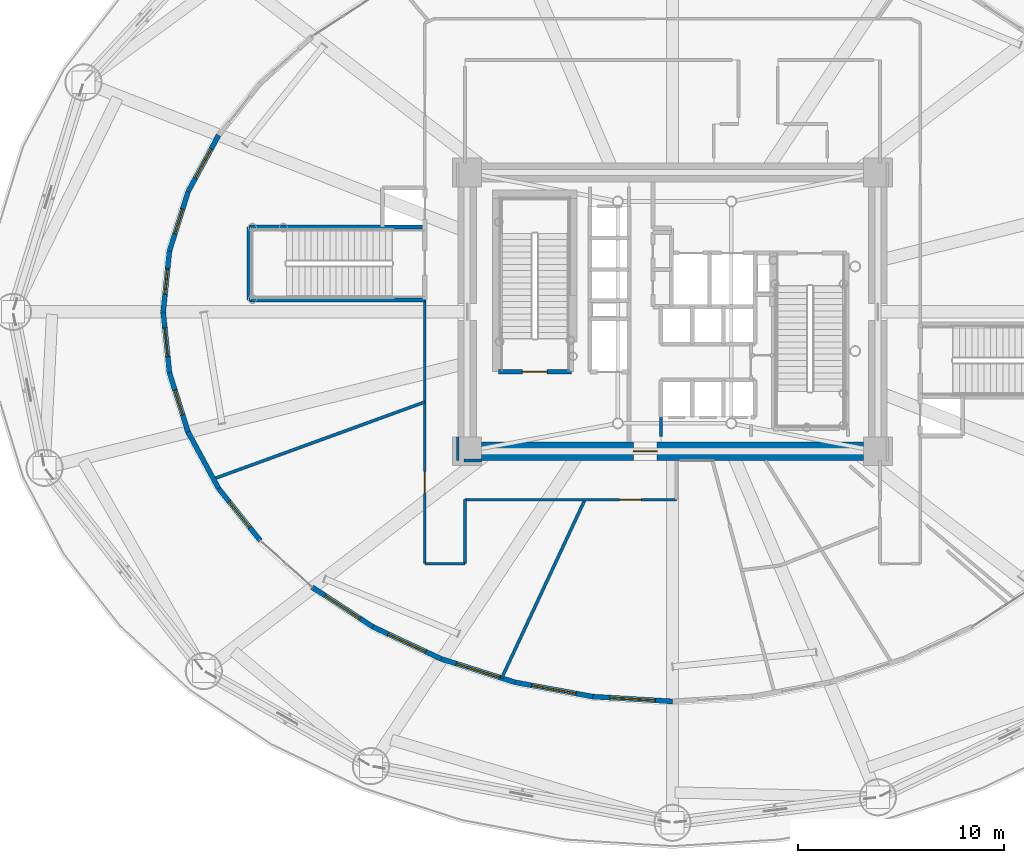
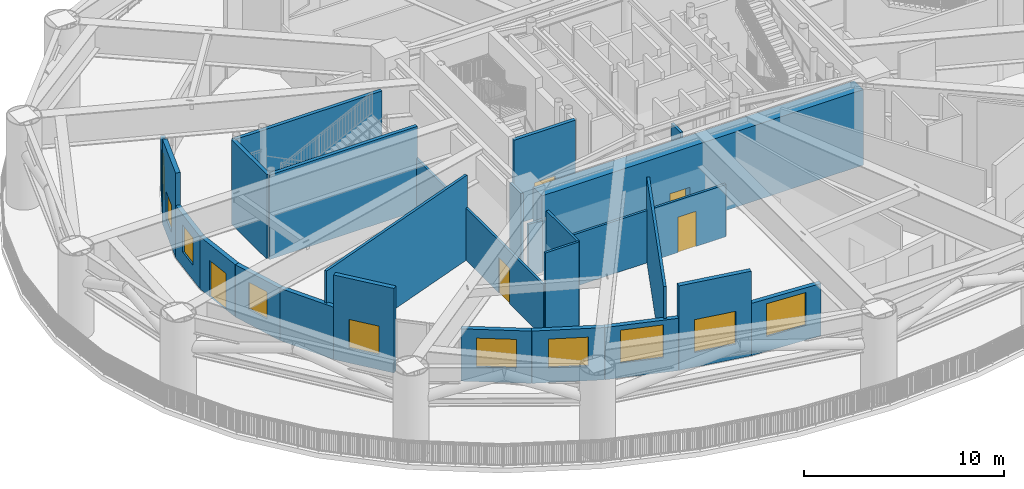
# One storey, part 22 of 39: 26 walls, 10 windows, 5 doors, 15 openings.
"""IFC4 building model written with IfcOpenShell, lengths in metres."""

from ifc_helpers import new_model, si_unit, direction, frame, frame_2d, origin, origin_2d, place, context, subcontext, project, spatial, rectangle, extrude, source, transform, mapped, material, layer, layer_set, type_object, element, fill, save


model = new_model("IFC4")

# Units and contexts
model_context = context("Model", 3, precision=1e-05, world=origin(), true_north=direction((0.0, 1.0)))
body_context = subcontext(model_context, "Body", "Model", "MODEL_VIEW")
ifc_project = project(units=[si_unit("LENGTHUNIT", "METRE"), si_unit("AREAUNIT", "SQUARE_METRE"), si_unit("VOLUMEUNIT", "CUBIC_METRE"), si_unit("PLANEANGLEUNIT", "RADIAN"), si_unit("MASSUNIT", "GRAM", prefix="KILO")], contexts=[model_context])

# Site, building, storey
site_placement = place(None, origin())
site = spatial("IfcSite", under=ifc_project, at=site_placement, CompositionType="ELEMENT")
building_placement = place(site_placement, origin())
building = spatial("IfcBuilding", under=site, at=building_placement, Name="Linh Dai School and Residence Tower", CompositionType="ELEMENT")
storey_placement = place(building_placement, frame((0.0, 0.0, 27.0)))
storey = spatial("IfcBuildingStorey", under=building, at=storey_placement, Name="L06", CompositionType="ELEMENT", Elevation=27.0)

# Wall, opening, window
ifc_material_1 = material(Name="Precast Concrete B45 (C35/45)", Category="concrete")
ifc_layer_1 = layer(ifc_material_1, 0.25)
ifc_layer_set_1 = layer_set([ifc_layer_1], Name="Precast Concrete B45 (C35/45)")
wall_type_1 = type_object("IfcWallType", Name="EW-TC-250", PredefinedType="SOLIDWALL", material=ifc_layer_set_1)
wall_1_placement = place(storey_placement, frame((12.52880859375, 32.822509765625, 0.0), z_axis=(0.0, 0.0, 1.0), x_axis=(0.475607390776, 0.879657666276, 0.0)))
wall_1 = element("IfcWall", 1, at=wall_1_placement, inside=storey, type_object=wall_type_1, Name="L06 Terracotta Exterior Wall 18", PredefinedType="SOLIDWALL", context=body_context, shape_type="SweptSolid", body=[
    extrude(rectangle(XDim=3.108154296875, YDim=0.25, at=frame_2d((1.55419921875, 0.0))), origin(), (0.0, 0.0, 1.0), 3.18505859375),
])
opening_1_placement = place(wall_1_placement, frame((0.75439453125, 0.0, 0.89990234375)))
opening_1 = element("IfcOpeningElement", 2, at=opening_1_placement, cuts=wall_1, Name="Opening W2", PredefinedType="OPENING", context=body_context, shape_type="SweptSolid", body=[
    extrude(rectangle(XDim=1.60009765625, YDim=1.75, at=origin_2d()), frame((0.800048828125, 0.135009765625, 0.875), z_axis=(0.0, -1.0, 0.0), x_axis=(1.0, 0.0, 0.0)), (0.0, 0.0, 1.0), 0.27001953125),
])
ifc_material_2 = material(Name="Double Low-E Insulated Glazing", Category="glass")
window_type_1 = type_object("IfcWindowType", Name="WN-RES-1600x1750", PartitioningType="DOUBLE_PANEL_VERTICAL", PredefinedType="WINDOW", material=ifc_material_2)
shared_shape_1 = source(origin(), body_context, "Body", "SweptSolid", [
    extrude(rectangle(XDim=1.60009765625, YDim=1.75, at=origin_2d()), frame((0.800048828125, 0.030029296875, 0.875), z_axis=(0.0, -1.0, 0.0), x_axis=(1.0, 0.0, 0.0)), (0.0, 0.0, 1.0), 0.06005859375),
])
window_1_placement = place(opening_1_placement, origin())
window_1 = element("IfcWindow", 3, at=window_1_placement, inside=storey, type_object=window_type_1, Name="L06 Exterior Window 18.1", OverallHeight=1.75, OverallWidth=1.60009765625, PartitioningType="DOUBLE_PANEL_VERTICAL", PredefinedType="WINDOW", context=body_context, shape_type="MappedRepresentation", body=[
    mapped(shared_shape_1, transform((0.0, 0.0, 0.0), x_axis=(1.0, 0.0, 0.0), y_axis=(0.0, 1.0, 0.0), z_axis=(0.0, 0.0, 1.0), scale=1.0)),
])
fill(opening_1, window_1)

wall_2_placement = place(storey_placement, frame((11.627685546875, 29.947021484375, 0.0), z_axis=(0.0, 0.0, 1.0), x_axis=(0.299040684125, 0.954240362402, 0.0)))
wall_2 = element("IfcWall", 4, at=wall_2_placement, inside=storey, type_object=wall_type_1, Name="L06 Terracotta Exterior Wall 19", PredefinedType="SOLIDWALL", context=body_context, shape_type="SweptSolid", body=[
    extrude(rectangle(XDim=3.013427734375, YDim=0.25, at=frame_2d((1.5068359375, 0.0))), origin(), (0.0, 0.0, 1.0), 5.14990234375),
])
opening_2_placement = place(wall_2_placement, frame((0.8818359375, 0.0, 0.89990234375)))
opening_2 = element("IfcOpeningElement", 5, at=opening_2_placement, cuts=wall_2, Name="Opening W3", PredefinedType="OPENING", context=body_context, shape_type="SweptSolid", body=[
    extrude(rectangle(XDim=1.25, YDim=1.64990234375, at=origin_2d()), frame((0.625, 0.135009765625, 0.824951171875), z_axis=(0.0, -1.0, 0.0), x_axis=(1.0, 0.0, 0.0)), (0.0, 0.0, 1.0), 0.27001953125),
])
window_type_2 = type_object("IfcWindowType", Name="WN-RES-1250x1650", PartitioningType="SINGLE_PANEL", PredefinedType="WINDOW", material=ifc_material_2)
shared_shape_2 = source(origin(), body_context, "Body", "SweptSolid", [
    extrude(rectangle(XDim=1.25, YDim=1.64990234375, at=origin_2d()), frame((0.625, 0.030029296875, 0.824951171875), z_axis=(0.0, -1.0, 0.0), x_axis=(1.0, 0.0, 0.0)), (0.0, 0.0, 1.0), 0.06005859375),
])
window_2_placement = place(opening_2_placement, origin())
window_2 = element("IfcWindow", 6, at=window_2_placement, inside=storey, type_object=window_type_2, Name="L06 Exterior Window 19.1", OverallHeight=1.64990234375, OverallWidth=1.25, PartitioningType="SINGLE_PANEL", PredefinedType="WINDOW", context=body_context, shape_type="MappedRepresentation", body=[
    mapped(shared_shape_2, transform((0.0, 0.0, 0.0), x_axis=(1.0, 0.0, 0.0), y_axis=(0.0, 1.0, 0.0), z_axis=(0.0, 0.0, 1.0), scale=1.0)),
])
fill(opening_2, window_2)

wall_3_placement = place(storey_placement, frame((11.324951171875, 27.0, 0.0), z_axis=(0.0, 0.0, 1.0), x_axis=(0.102187785323, 0.994765126314, 0.0)))
wall_3 = element("IfcWall", 7, at=wall_3_placement, inside=storey, type_object=wall_type_1, Name="L06 Terracotta Exterior Wall 20", PredefinedType="SOLIDWALL", context=body_context, shape_type="SweptSolid", body=[
    extrude(rectangle(XDim=2.962646484375, YDim=0.25, at=frame_2d((1.4814453125, 0.0))), origin(), (0.0, 0.0, 1.0), 3.18505859375),
])
opening_3_placement = place(wall_3_placement, frame((0.856201171875, 0.0, 0.89990234375)))
opening_3 = element("IfcOpeningElement", 8, at=opening_3_placement, cuts=wall_3, Name="Opening W3", PredefinedType="OPENING", context=body_context, shape_type="SweptSolid", body=[
    extrude(rectangle(XDim=1.25, YDim=1.64990234375, at=origin_2d()), frame((0.625, 0.135009765625, 0.824951171875), z_axis=(0.0, -1.0, 0.0), x_axis=(1.0, 0.0, 0.0)), (0.0, 0.0, 1.0), 0.27001953125),
])
window_3_placement = place(opening_3_placement, origin())
window_3 = element("IfcWindow", 9, at=window_3_placement, inside=storey, type_object=window_type_2, Name="L06 Exterior Window 20.1", OverallHeight=1.64990234375, OverallWidth=1.25, PartitioningType="SINGLE_PANEL", PredefinedType="WINDOW", context=body_context, shape_type="MappedRepresentation", body=[
    mapped(shared_shape_2, transform((0.0, 0.0, 0.0), x_axis=(1.0, 0.0, 0.0), y_axis=(0.0, 1.0, 0.0), z_axis=(0.0, 0.0, 1.0), scale=1.0)),
])
fill(opening_3, window_3)

# Wall, opening, door
wall_4_placement = place(storey_placement, frame((11.627685546875, 24.052978515625, 0.0), z_axis=(0.0, 0.0, 1.0), x_axis=(-0.102187785323, 0.994765126314, 0.0)))
wall_4 = element("IfcWall", 10, at=wall_4_placement, inside=storey, type_object=wall_type_1, Name="L06 Terracotta Exterior Wall 21", PredefinedType="SOLIDWALL", context=body_context, shape_type="SweptSolid", body=[
    extrude(rectangle(XDim=2.962646484375, YDim=0.25, at=frame_2d((1.4814453125, 0.0))), origin(), (0.0, 0.0, 1.0), 3.18505859375),
])
opening_4_placement = place(wall_4_placement, frame((0.78125, 0.0, 0.0)))
opening_4 = element("IfcOpeningElement", 11, at=opening_4_placement, cuts=wall_4, Name="Opening DD1", PredefinedType="OPENING", context=body_context, shape_type="SweptSolid", body=[
    extrude(rectangle(XDim=1.39990234375, YDim=2.199951171875, at=origin_2d()), frame((0.699951171875, 0.135009765625, 1.10009765625), z_axis=(0.0, -1.0, 0.0), x_axis=(1.0, 0.0, 0.0)), (0.0, 0.0, 1.0), 0.27001953125),
])
ifc_material_3 = material(Name="Glazed Aluminium Terrace Door", Category="aluminium")
door_type_1 = type_object("IfcDoorType", Name="DR-DECK-1400x2200", OperationType="NOTDEFINED", PredefinedType="DOOR", material=ifc_material_3)
shared_shape_3 = source(origin(), body_context, "Body", "SweptSolid", [
    extrude(rectangle(XDim=1.39990234375, YDim=2.199951171875, at=origin_2d()), frame((0.699951171875, 0.02490234375, 1.10009765625), z_axis=(0.0, -1.0, 0.0), x_axis=(1.0, 0.0, 0.0)), (0.0, 0.0, 1.0), 0.050048828125),
])
door_1_placement = place(opening_4_placement, origin())
door_1 = element("IfcDoor", 12, at=door_1_placement, inside=storey, type_object=door_type_1, Name="L06 Outdoor Terrace Access Door 21", OperationType="SINGLE_SWING_RIGHT", OverallHeight=2.199951171875, OverallWidth=1.39990234375, PredefinedType="DOOR", context=body_context, shape_type="MappedRepresentation", body=[
    mapped(shared_shape_3, transform((0.0, 0.0, 0.0), x_axis=(1.0, 0.0, 0.0), y_axis=(0.0, 1.0, 0.0), z_axis=(0.0, 0.0, 1.0), scale=1.0)),
])
fill(opening_4, door_1)

# Wall, opening, window
wall_5_placement = place(storey_placement, frame((12.52880859375, 21.177490234375, 0.0), z_axis=(0.0, 0.0, 1.0), x_axis=(-0.299040684125, 0.954240362402, 0.0)))
wall_5 = element("IfcWall", 13, at=wall_5_placement, inside=storey, type_object=wall_type_1, Name="L06 Terracotta Exterior Wall 22", PredefinedType="SOLIDWALL", context=body_context, shape_type="SweptSolid", body=[
    extrude(rectangle(XDim=3.013427734375, YDim=0.25, at=frame_2d((1.5068359375, 0.0))), origin(), (0.0, 0.0, 1.0), 3.18505859375),
])
opening_5_placement = place(wall_5_placement, frame((0.881591796875, 0.0, 0.89990234375)))
opening_5 = element("IfcOpeningElement", 14, at=opening_5_placement, cuts=wall_5, Name="Opening W3", PredefinedType="OPENING", context=body_context, shape_type="SweptSolid", body=[
    extrude(rectangle(XDim=1.25, YDim=1.64990234375, at=origin_2d()), frame((0.625, 0.135009765625, 0.824951171875), z_axis=(0.0, -1.0, 0.0), x_axis=(1.0, 0.0, 0.0)), (0.0, 0.0, 1.0), 0.27001953125),
])
window_4_placement = place(opening_5_placement, origin())
window_4 = element("IfcWindow", 15, at=window_4_placement, inside=storey, type_object=window_type_2, Name="L06 Exterior Window 22.1", OverallHeight=1.64990234375, OverallWidth=1.25, PartitioningType="SINGLE_PANEL", PredefinedType="WINDOW", context=body_context, shape_type="MappedRepresentation", body=[
    mapped(shared_shape_2, transform((0.0, 0.0, 0.0), x_axis=(1.0, 0.0, 0.0), y_axis=(0.0, 1.0, 0.0), z_axis=(0.0, 0.0, 1.0), scale=1.0)),
])
fill(opening_5, window_4)

# Wall
wall_6_placement = place(storey_placement, frame((14.007080078125, 18.443359375, 0.0), z_axis=(0.0, 0.0, 1.0), x_axis=(-0.475607390776, 0.879657666276, 0.0)))
element("IfcWall", 16, at=wall_6_placement, inside=storey, type_object=wall_type_1, Name="L06 Terracotta Exterior Wall 23", PredefinedType="SOLIDWALL", context=body_context, shape_type="SweptSolid", body=[
    extrude(rectangle(XDim=3.108154296875, YDim=0.25, at=frame_2d((1.55419921875, 0.0))), origin(), (0.0, 0.0, 1.0), 3.18505859375),
])

# Wall, opening, window
wall_7_placement = place(storey_placement, frame((16.027099609375, 15.91796875, 0.0), z_axis=(0.0, 0.0, 1.0), x_axis=(-0.624639806262, 0.780912999272, 0.0)))
wall_7 = element("IfcWall", 17, at=wall_7_placement, inside=storey, type_object=wall_type_1, Name="L06 Terracotta Exterior Wall 24", PredefinedType="SOLIDWALL", context=body_context, shape_type="SweptSolid", body=[
    extrude(rectangle(XDim=3.23388671875, YDim=0.25, at=frame_2d((1.616943359375, 0.0))), origin(), (0.0, 0.0, 1.0), 5.14990234375),
])
opening_6_placement = place(wall_7_placement, frame((0.816650390625, 0.0, 0.89990234375)))
opening_6 = element("IfcOpeningElement", 18, at=opening_6_placement, cuts=wall_7, Name="Opening W2", PredefinedType="OPENING", context=body_context, shape_type="SweptSolid", body=[
    extrude(rectangle(XDim=1.60009765625, YDim=1.75, at=origin_2d()), frame((0.800048828125, 0.135009765625, 0.875), z_axis=(0.0, -1.0, 0.0), x_axis=(1.0, 0.0, 0.0)), (0.0, 0.0, 1.0), 0.27001953125),
])
window_5_placement = place(opening_6_placement, origin())
window_5 = element("IfcWindow", 19, at=window_5_placement, inside=storey, type_object=window_type_1, Name="L06 Exterior Window 24.1", OverallHeight=1.75, OverallWidth=1.60009765625, PartitioningType="DOUBLE_PANEL_VERTICAL", PredefinedType="WINDOW", context=body_context, shape_type="MappedRepresentation", body=[
    mapped(shared_shape_1, transform((0.0, 0.0, 0.0), x_axis=(1.0, 0.0, 0.0), y_axis=(0.0, 1.0, 0.0), z_axis=(0.0, 0.0, 1.0), scale=1.0)),
])
fill(opening_6, window_5)

wall_8_placement = place(storey_placement, frame((21.483642578125, 11.73779296875, 0.0), z_axis=(0.0, 0.0, 1.0), x_axis=(-0.836749499899, 0.547585860317, 0.0)))
wall_8 = element("IfcWall", 20, at=wall_8_placement, inside=storey, type_object=wall_type_1, Name="L06 Terracotta Exterior Wall 26", PredefinedType="SOLIDWALL", context=body_context, shape_type="SweptSolid", body=[
    extrude(rectangle(XDim=3.518310546875, YDim=0.25, at=frame_2d((1.75927734375, 0.0))), origin(), (0.0, 0.0, 1.0), 3.18505859375),
])
opening_7_placement = place(wall_8_placement, frame((0.7587890625, 0.0, 0.89990234375)))
opening_7 = element("IfcOpeningElement", 21, at=opening_7_placement, cuts=wall_8, Name="Opening W1", PredefinedType="OPENING", context=body_context, shape_type="SweptSolid", body=[
    extrude(rectangle(XDim=2.0, YDim=1.75, at=origin_2d()), frame((1.0, 0.135009765625, 0.875), z_axis=(0.0, -1.0, 0.0), x_axis=(1.0, 0.0, 0.0)), (0.0, 0.0, 1.0), 0.27001953125),
])
window_type_3 = type_object("IfcWindowType", Name="WN-RES-2000x1750", PartitioningType="DOUBLE_PANEL_VERTICAL", PredefinedType="WINDOW", material=ifc_material_2)
shared_shape_4 = source(origin(), body_context, "Body", "SweptSolid", [
    extrude(rectangle(XDim=2.0, YDim=1.75, at=origin_2d()), frame((1.0, 0.030029296875, 0.875), z_axis=(0.0, -1.0, 0.0), x_axis=(1.0, 0.0, 0.0)), (0.0, 0.0, 1.0), 0.06005859375),
])
window_6_placement = place(opening_7_placement, origin())
window_6 = element("IfcWindow", 22, at=window_6_placement, inside=storey, type_object=window_type_3, Name="L06 Exterior Window 26.1", OverallHeight=1.75, OverallWidth=2.0, PartitioningType="DOUBLE_PANEL_VERTICAL", PredefinedType="WINDOW", context=body_context, shape_type="MappedRepresentation", body=[
    mapped(shared_shape_4, transform((0.0, 0.0, 0.0), x_axis=(1.0, 0.0, 0.0), y_axis=(0.0, 1.0, 0.0), z_axis=(0.0, 0.0, 1.0), scale=1.0)),
])
fill(opening_7, window_6)

wall_9_placement = place(storey_placement, frame((24.786376953125, 10.187255859375, 0.0), z_axis=(0.0, 0.0, 1.0), x_axis=(-0.905208052634, 0.424968682901, 0.0)))
wall_9 = element("IfcWall", 23, at=wall_9_placement, inside=storey, type_object=wall_type_1, Name="L06 Terracotta Exterior Wall 27", PredefinedType="SOLIDWALL", context=body_context, shape_type="SweptSolid", body=[
    extrude(rectangle(XDim=3.648681640625, YDim=0.25, at=frame_2d((1.82421875, 0.0))), origin(), (0.0, 0.0, 1.0), 3.18505859375),
])
opening_8_placement = place(wall_9_placement, frame((0.82421875, 0.0, 0.89990234375)))
opening_8 = element("IfcOpeningElement", 24, at=opening_8_placement, cuts=wall_9, Name="Opening W1", PredefinedType="OPENING", context=body_context, shape_type="SweptSolid", body=[
    extrude(rectangle(XDim=2.0, YDim=1.75, at=origin_2d()), frame((1.0, 0.135009765625, 0.875), z_axis=(0.0, -1.0, 0.0), x_axis=(1.0, 0.0, 0.0)), (0.0, 0.0, 1.0), 0.27001953125),
])
window_7_placement = place(opening_8_placement, origin())
window_7 = element("IfcWindow", 25, at=window_7_placement, inside=storey, type_object=window_type_3, Name="L06 Exterior Window 27.1", OverallHeight=1.75, OverallWidth=2.0, PartitioningType="DOUBLE_PANEL_VERTICAL", PredefinedType="WINDOW", context=body_context, shape_type="MappedRepresentation", body=[
    mapped(shared_shape_4, transform((0.0, 0.0, 0.0), x_axis=(1.0, 0.0, 0.0), y_axis=(0.0, 1.0, 0.0), z_axis=(0.0, 0.0, 1.0), scale=1.0)),
])
fill(opening_8, window_7)

wall_10_placement = place(storey_placement, frame((28.366455078125, 9.05126953125, 0.0), z_axis=(0.0, 0.0, 1.0), x_axis=(-0.953166212936, 0.302446971412, 0.0)))
wall_10 = element("IfcWall", 26, at=wall_10_placement, inside=storey, type_object=wall_type_1, Name="L06 Terracotta Exterior Wall 28", PredefinedType="SOLIDWALL", context=body_context, shape_type="SweptSolid", body=[
    extrude(rectangle(XDim=3.756103515625, YDim=0.25, at=frame_2d((1.8779296875, 0.0))), origin(), (0.0, 0.0, 1.0), 3.18505859375),
])
opening_9_placement = place(wall_10_placement, frame((0.77783203125, 0.0, 0.89990234375)))
opening_9 = element("IfcOpeningElement", 27, at=opening_9_placement, cuts=wall_10, Name="Opening W4", PredefinedType="OPENING", context=body_context, shape_type="SweptSolid", body=[
    extrude(rectangle(XDim=2.199951171875, YDim=2.0, at=origin_2d()), frame((1.10009765625, 0.135009765625, 1.0), z_axis=(0.0, -1.0, 0.0), x_axis=(1.0, 0.0, 0.0)), (0.0, 0.0, 1.0), 0.27001953125),
])
ifc_material_4 = material(Name="Acoustic Laminated Low-E Glazing", Category="glass")
window_type_4 = type_object("IfcWindowType", Name="WN-SCH-2200x2000", PartitioningType="TRIPLE_PANEL_VERTICAL", PredefinedType="WINDOW", material=ifc_material_4)
shared_shape_5 = source(origin(), body_context, "Body", "SweptSolid", [
    extrude(rectangle(XDim=2.199951171875, YDim=2.0, at=origin_2d()), frame((1.10009765625, 0.030029296875, 1.0), z_axis=(0.0, -1.0, 0.0), x_axis=(1.0, 0.0, 0.0)), (0.0, 0.0, 1.0), 0.06005859375),
])
window_8_placement = place(opening_9_placement, origin())
window_8 = element("IfcWindow", 28, at=window_8_placement, inside=storey, type_object=window_type_4, Name="L06 Exterior Window 28.1", OverallHeight=2.0, OverallWidth=2.199951171875, PartitioningType="TRIPLE_PANEL_VERTICAL", PredefinedType="WINDOW", context=body_context, shape_type="MappedRepresentation", body=[
    mapped(shared_shape_5, transform((0.0, 0.0, 0.0), x_axis=(1.0, 0.0, 0.0), y_axis=(0.0, 1.0, 0.0), z_axis=(0.0, 0.0, 1.0), scale=1.0)),
])
fill(opening_9, window_8)

wall_11_placement = place(storey_placement, frame((32.135498046875, 8.35791015625, 0.0), z_axis=(0.0, 0.0, 1.0), x_axis=(-0.983496768781, 0.180925691368, 0.0)))
wall_11 = element("IfcWall", 29, at=wall_11_placement, inside=storey, type_object=wall_type_1, Name="L06 Terracotta Exterior Wall 29", PredefinedType="SOLIDWALL", context=body_context, shape_type="SweptSolid", body=[
    extrude(rectangle(XDim=3.832275390625, YDim=0.25, at=frame_2d((1.916015625, 0.0))), origin(), (0.0, 0.0, 1.0), 5.14990234375),
])
opening_10_placement = place(wall_11_placement, frame((0.81591796875, 0.0, 0.89990234375)))
opening_10 = element("IfcOpeningElement", 30, at=opening_10_placement, cuts=wall_11, Name="Opening W4", PredefinedType="OPENING", context=body_context, shape_type="SweptSolid", body=[
    extrude(rectangle(XDim=2.199951171875, YDim=2.0, at=origin_2d()), frame((1.10009765625, 0.135009765625, 1.0), z_axis=(0.0, -1.0, 0.0), x_axis=(1.0, 0.0, 0.0)), (0.0, 0.0, 1.0), 0.27001953125),
])
window_9_placement = place(opening_10_placement, origin())
window_9 = element("IfcWindow", 31, at=window_9_placement, inside=storey, type_object=window_type_4, Name="L06 Exterior Window 29.1", OverallHeight=2.0, OverallWidth=2.199951171875, PartitioningType="TRIPLE_PANEL_VERTICAL", PredefinedType="WINDOW", context=body_context, shape_type="MappedRepresentation", body=[
    mapped(shared_shape_5, transform((0.0, 0.0, 0.0), x_axis=(1.0, 0.0, 0.0), y_axis=(0.0, 1.0, 0.0), z_axis=(0.0, 0.0, 1.0), scale=1.0)),
])
fill(opening_10, window_9)

wall_12_placement = place(storey_placement, frame((36.0, 8.125, 0.0), z_axis=(0.0, 0.0, 1.0), x_axis=(-0.998188749064, 0.060159963776, 0.0)))
wall_12 = element("IfcWall", 32, at=wall_12_placement, inside=storey, type_object=wall_type_1, Name="L06 Terracotta Exterior Wall 30", PredefinedType="SOLIDWALL", context=body_context, shape_type="SweptSolid", body=[
    extrude(rectangle(XDim=3.87158203125, YDim=0.25, at=frame_2d((1.935791015625, 0.0))), origin(), (0.0, 0.0, 1.0), 3.18505859375),
])
opening_11_placement = place(wall_12_placement, frame((0.835693359375, 0.0, 0.89990234375)))
opening_11 = element("IfcOpeningElement", 33, at=opening_11_placement, cuts=wall_12, Name="Opening W4", PredefinedType="OPENING", context=body_context, shape_type="SweptSolid", body=[
    extrude(rectangle(XDim=2.199951171875, YDim=2.0, at=origin_2d()), frame((1.10009765625, 0.135009765625, 1.0), z_axis=(0.0, -1.0, 0.0), x_axis=(1.0, 0.0, 0.0)), (0.0, 0.0, 1.0), 0.27001953125),
])
window_10_placement = place(opening_11_placement, origin())
window_10 = element("IfcWindow", 34, at=window_10_placement, inside=storey, type_object=window_type_4, Name="L06 Exterior Window 30.1", OverallHeight=2.0, OverallWidth=2.199951171875, PartitioningType="TRIPLE_PANEL_VERTICAL", PredefinedType="WINDOW", context=body_context, shape_type="MappedRepresentation", body=[
    mapped(shared_shape_5, transform((0.0, 0.0, 0.0), x_axis=(1.0, 0.0, 0.0), y_axis=(0.0, 1.0, 0.0), z_axis=(0.0, 0.0, 1.0), scale=1.0)),
])
fill(opening_11, window_10)

# Wall, opening, door
ifc_material_5 = material(Name="Autoclaved Aerated Concrete Blockwork", Category="masonry")
ifc_layer_2 = layer(ifc_material_5, 0.135009765625)
ifc_layer_set_2 = layer_set([ifc_layer_2], Name="Autoclaved Aerated Concrete Blockwork")
wall_type_2 = type_object("IfcWallType", Name="IW-CORR-135-EI90", PredefinedType="PARTITIONING", material=ifc_layer_set_2)
wall_13_placement = place(storey_placement, frame((24.0, 14.800048828125, 0.0), z_axis=(0.0, 0.0, 1.0), x_axis=(0.0, 1.0, 0.0)))
wall_13 = element("IfcWall", 35, at=wall_13_placement, inside=storey, type_object=wall_type_2, Name="L06 Interior Partition Wall 008", PredefinedType="PARTITIONING", context=body_context, shape_type="SweptSolid", body=[
    extrude(rectangle(XDim=12.780029296875, YDim=0.135009765625, at=frame_2d((6.39013671875, 0.0))), origin(), (0.0, 0.0, 1.0), 3.18505859375),
])
opening_12_placement = place(wall_13_placement, frame((3.4111328125, 0.0, 0.0)))
opening_12 = element("IfcOpeningElement", 36, at=opening_12_placement, cuts=wall_13, Name="Opening D04", PredefinedType="OPENING", context=body_context, shape_type="SweptSolid", body=[
    extrude(rectangle(XDim=1.050048828125, YDim=2.14990234375, at=origin_2d()), frame((0.52490234375, 0.07763671875, 1.074951171875), z_axis=(0.0, -1.0, 0.0), x_axis=(1.0, 0.0, 0.0)), (0.0, 0.0, 1.0), 0.155029296875),
])
ifc_material_6 = material(Name="Acoustic Vision-Panel Timber Classroom Door", Category="wood")
door_type_2 = type_object("IfcDoorType", Name="DR-SCH-1050x2150-FD60S", OperationType="NOTDEFINED", PredefinedType="DOOR", material=ifc_material_6)
shared_shape_6 = source(origin(), body_context, "Body", "SweptSolid", [
    extrude(rectangle(XDim=1.050048828125, YDim=2.14990234375, at=origin_2d()), frame((0.52490234375, 0.02490234375, 1.074951171875), z_axis=(0.0, -1.0, 0.0), x_axis=(1.0, 0.0, 0.0)), (0.0, 0.0, 1.0), 0.050048828125),
])
door_2_placement = place(opening_12_placement, origin())
door_2 = element("IfcDoor", 37, at=door_2_placement, inside=storey, type_object=door_type_2, Name="L06 School Nurse First-Aid Clinic Door", OperationType="SINGLE_SWING_RIGHT", OverallHeight=2.14990234375, OverallWidth=1.050048828125, PredefinedType="DOOR", context=body_context, shape_type="MappedRepresentation", body=[
    mapped(shared_shape_6, transform((0.0, 0.0, 0.0), x_axis=(1.0, 0.0, 0.0), y_axis=(0.0, 1.0, 0.0), z_axis=(0.0, 0.0, 1.0), scale=1.0)),
])
fill(opening_12, door_2)

# Walls
wall_14_placement = place(storey_placement, frame((24.0, 14.800048828125, 0.0), z_axis=(0.0, 0.0, 1.0), x_axis=(1.0, 0.0, 0.0)))
element("IfcWall", 38, at=wall_14_placement, inside=storey, type_object=wall_type_2, Name="L06 Interior Partition Wall 009", PredefinedType="PARTITIONING", context=body_context, shape_type="SweptSolid", body=[
    extrude(rectangle(XDim=1.949951171875, YDim=0.135009765625, at=frame_2d((0.97509765625, 0.0))), origin(), (0.0, 0.0, 1.0), 5.14990234375),
])
wall_15_placement = place(storey_placement, frame((25.949951171875, 14.800048828125, 0.0), z_axis=(0.0, 0.0, 1.0), x_axis=(0.0, 1.0, 0.0)))
element("IfcWall", 39, at=wall_15_placement, inside=storey, type_object=wall_type_2, Name="L06 Interior Partition Wall 014", PredefinedType="PARTITIONING", context=body_context, shape_type="SweptSolid", body=[
    extrude(rectangle(XDim=3.099853515625, YDim=0.135009765625, at=frame_2d((1.5498046875, 0.0))), origin(), (0.0, 0.0, 1.0), 5.14990234375),
])

# Wall, opening, door
wall_16_placement = place(storey_placement, frame((25.949951171875, 17.89990234375, 0.0), z_axis=(0.0, 0.0, 1.0), x_axis=(1.0, 0.0, 0.0)))
wall_16 = element("IfcWall", 40, at=wall_16_placement, inside=storey, type_object=wall_type_2, Name="L06 Interior Partition Wall 015", PredefinedType="PARTITIONING", context=body_context, shape_type="SweptSolid", body=[
    extrude(rectangle(XDim=10.25, YDim=0.135009765625, at=frame_2d((5.125, 0.0))), origin(), (0.0, 0.0, 1.0), 3.18505859375),
])
opening_13_placement = place(wall_16_placement, frame((7.4833984375, 0.0, 0.0)))
opening_13 = element("IfcOpeningElement", 41, at=opening_13_placement, cuts=wall_16, Name="Opening D04", PredefinedType="OPENING", context=body_context, shape_type="SweptSolid", body=[
    extrude(rectangle(XDim=1.050048828125, YDim=2.14990234375, at=origin_2d()), frame((0.52490234375, 0.07763671875, 1.074951171875), z_axis=(0.0, -1.0, 0.0), x_axis=(1.0, 0.0, 0.0)), (0.0, 0.0, 1.0), 0.155029296875),
])
door_3_placement = place(opening_13_placement, origin())
door_3 = element("IfcDoor", 42, at=door_3_placement, inside=storey, type_object=door_type_2, Name="L06 Play-Deck Milk and Juice Pantry Door", OperationType="SINGLE_SWING_LEFT", OverallHeight=2.14990234375, OverallWidth=1.050048828125, PredefinedType="DOOR", context=body_context, shape_type="MappedRepresentation", body=[
    mapped(shared_shape_6, transform((0.0, 0.0, 0.0), x_axis=(1.0, 0.0, 0.0), y_axis=(0.0, 1.0, 0.0), z_axis=(0.0, 0.0, 1.0), scale=1.0)),
])
fill(opening_13, door_3)

# Walls
wall_17_placement = place(storey_placement, frame((35.449951171875, 21.889892578125, 0.0), z_axis=(0.0, 0.0, 1.0), x_axis=(0.0, -1.0, 0.0)))
element("IfcWall", 43, at=wall_17_placement, inside=storey, type_object=wall_type_2, Name="L06 Interior Partition Wall 078", PredefinedType="PARTITIONING", context=body_context, shape_type="SweptSolid", body=[
    extrude(rectangle(XDim=0.929931640625, YDim=0.135009765625, at=frame_2d((0.46484375, 0.0))), origin(), (0.0, 0.0, 1.0), 4.735107421875),
])
wall_18_placement = place(storey_placement, frame((25.60009765625, 20.93994140625, 0.0), z_axis=(0.0, 0.0, 1.0), x_axis=(0.0, -1.0, 0.0)))
element("IfcWall", 44, at=wall_18_placement, inside=storey, type_object=wall_type_2, Name="L06 Interior Partition Wall 095", PredefinedType="PARTITIONING", context=body_context, shape_type="SweptSolid", body=[
    extrude(rectangle(XDim=1.139892578125, YDim=0.135009765625, at=frame_2d((0.56982421875, 0.0))), origin(), (0.0, 0.0, 1.0), 5.14990234375),
])
wall_19_placement = place(storey_placement, frame((25.907470703125, 19.800048828125, 0.0), z_axis=(0.0, 0.0, 1.0), x_axis=(1.0, 0.0, 0.0)))
element("IfcWall", 45, at=wall_19_placement, inside=storey, type_object=wall_type_2, Name="L06 Interior Partition Wall 096", PredefinedType="PARTITIONING", context=body_context, shape_type="SweptSolid", body=[
    extrude(rectangle(XDim=0.83251953125, YDim=0.135009765625, at=frame_2d((0.416259765625, 0.0))), origin(), (0.0, 0.0, 1.0), 3.18505859375),
])
ifc_layer_3 = layer(ifc_material_5, 0.14990234375)
ifc_layer_set_3 = layer_set([ifc_layer_3], Name="Autoclaved Aerated Concrete Blockwork")
wall_type_3 = type_object("IfcWallType", Name="IW-SCH-150-EI60", PredefinedType="PARTITIONING", material=ifc_layer_set_3)
wall_20_placement = place(storey_placement, frame((13.753173828125, 18.90283203125, 0.0), z_axis=(0.0, 0.0, 1.0), x_axis=(0.939694021803, 0.342016294038, 0.0)))
element("IfcWall", 46, at=wall_20_placement, inside=storey, type_object=wall_type_3, Name="L06 Interior Partition Wall 001", PredefinedType="PARTITIONING", context=body_context, shape_type="SweptSolid", body=[
    extrude(rectangle(XDim=10.904541015625, YDim=0.14990234375, at=frame_2d((5.4521484375, 0.0))), origin(), (0.0, 0.0, 1.0), 5.14990234375),
])
wall_21_placement = place(storey_placement, frame((27.72314453125, 9.250244140625, 0.0), z_axis=(0.0, 0.0, 1.0), x_axis=(0.422622169532, 0.906305964793, 0.0)))
element("IfcWall", 47, at=wall_21_placement, inside=storey, type_object=wall_type_3, Name="L06 Interior Partition Wall 017", PredefinedType="PARTITIONING", context=body_context, shape_type="SweptSolid", body=[
    extrude(rectangle(XDim=9.5439453125, YDim=0.14990234375, at=frame_2d((4.77197265625, 0.0))), origin(), (0.0, 0.0, 1.0), 5.14990234375),
])
ifc_material_7 = material(Name="Concrete B45 (C35/45)", Category="concrete")
ifc_layer_4 = layer(ifc_material_7, 0.199951171875)
ifc_layer_set_4 = layer_set([ifc_layer_4], Name="Concrete B45 (C35/45)")
wall_type_4 = type_object("IfcWallType", Name="IW-SHAFT-200-EI120", PredefinedType="PARTITIONING", material=ifc_layer_set_4)
wall_22_placement = place(storey_placement, frame((15.47998046875, 27.580078125, 0.0), z_axis=(0.0, 0.0, 1.0), x_axis=(0.0, 1.0, 0.0)))
element("IfcWall", 48, at=wall_22_placement, inside=storey, type_object=wall_type_4, Name="L06 Interior Partition Wall 002", PredefinedType="PARTITIONING", context=body_context, shape_type="SweptSolid", body=[
    extrude(rectangle(XDim=3.5400390625, YDim=0.199951171875, at=frame_2d((1.77001953125, 0.0))), origin(), (0.0, 0.0, 1.0), 5.14990234375),
])
for number, where, z_axis, x_axis, name in (
    (49, (15.47998046875, 27.580078125, 0.0), (0.0, 0.0, 1.0), (1.0, 0.0, 0.0), "L06 Interior Partition Wall 003"),
    (50, (15.47998046875, 31.1201171875, 0.0), (0.0, 0.0, 1.0), (1.0, 0.0, 0.0), "L06 Interior Partition Wall 004"),
):
    element("IfcWall", number, at=place(storey_placement, frame(where, z_axis=z_axis, x_axis=x_axis)), inside=storey, type_object=wall_type_4, Name=name, PredefinedType="PARTITIONING", context=body_context, shape_type="SweptSolid", body=[
        extrude(rectangle(XDim=8.52001953125, YDim=0.199951171875, at=frame_2d((4.260009765625, 0.0))), origin(), (0.0, 0.0, 1.0), 5.14990234375),
    ])

# Wall, opening, door
wall_23_placement = place(storey_placement, frame((27.56005859375, 24.10009765625, 0.0), z_axis=(0.0, 0.0, 1.0), x_axis=(1.0, 0.0, 0.0)))
wall_23 = element("IfcWall", 51, at=wall_23_placement, inside=storey, type_object=wall_type_4, Name="L06 Interior Partition Wall 016", PredefinedType="PARTITIONING", context=body_context, shape_type="SweptSolid", body=[
    extrude(rectangle(XDim=3.5400390625, YDim=0.199951171875, at=frame_2d((1.77001953125, 0.0))), origin(), (0.0, 0.0, 1.0), 5.14990234375),
])
opening_14_placement = place(wall_23_placement, frame((1.169921875, 0.0, 0.0)))
opening_14 = element("IfcOpeningElement", 52, at=opening_14_placement, cuts=wall_23, Name="Opening D01", PredefinedType="OPENING", context=body_context, shape_type="SweptSolid", body=[
    extrude(rectangle(XDim=1.199951171875, YDim=2.14990234375, at=origin_2d()), frame((0.60009765625, 0.10986328125, 1.074951171875), z_axis=(0.0, -1.0, 0.0), x_axis=(1.0, 0.0, 0.0)), (0.0, 0.0, 1.0), 0.219970703125),
])
ifc_material_8 = material(Name="Fire-Rated Steel Door Leaf", Category="steel")
door_type_3 = type_object("IfcDoorType", Name="DR-STAIR-1200x2150-FD90S", OperationType="NOTDEFINED", PredefinedType="DOOR", material=ifc_material_8)
shared_shape_7 = source(origin(), body_context, "Body", "SweptSolid", [
    extrude(rectangle(XDim=1.199951171875, YDim=2.14990234375, at=origin_2d()), frame((0.60009765625, 0.02490234375, 1.074951171875), z_axis=(0.0, -1.0, 0.0), x_axis=(1.0, 0.0, 0.0)), (0.0, 0.0, 1.0), 0.050048828125),
])
door_4_placement = place(opening_14_placement, origin())
door_4 = element("IfcDoor", 53, at=door_4_placement, inside=storey, type_object=door_type_3, Name="L06 Core Smokeproof Exit Stair ST1 Door", OperationType="SINGLE_SWING_LEFT", OverallHeight=2.14990234375, OverallWidth=1.199951171875, PredefinedType="DOOR", context=body_context, shape_type="MappedRepresentation", body=[
    mapped(shared_shape_7, transform((0.0, 0.0, 0.0), x_axis=(1.0, 0.0, 0.0), y_axis=(0.0, 1.0, 0.0), z_axis=(0.0, 0.0, 1.0), scale=1.0)),
])
fill(opening_14, door_4)

ifc_material_9 = material(Name="Concrete B60 (C50/60)", Category="concrete")
ifc_layer_5 = layer(ifc_material_9, 0.89990234375)
ifc_layer_set_5 = layer_set([ifc_layer_5], Name="Concrete B60 (C50/60)")
wall_type_5 = type_object("IfcWallType", Name="WL-CORE900", PredefinedType="SHEAR", material=ifc_layer_set_5)
wall_24_placement = place(storey_placement, frame((45.25, 20.25, 0.0), z_axis=(0.0, 0.0, 1.0), x_axis=(-1.0, 0.0, 0.0)))
wall_24 = element("IfcWall", 54, at=wall_24_placement, inside=storey, type_object=wall_type_5, Name="L06 Central Core Shear Wall S", PredefinedType="SHEAR", context=body_context, shape_type="SweptSolid", body=[
    extrude(rectangle(XDim=18.5, YDim=0.89990234375, at=frame_2d((9.25, 0.0))), origin(), (0.0, 0.0, 1.0), 4.60009765625),
])
opening_15_placement = place(wall_24_placement, frame((10.0, 0.0, 0.0)))
opening_15 = element("IfcOpeningElement", 55, at=opening_15_placement, cuts=wall_24, Name="Opening D02", PredefinedType="OPENING", context=body_context, shape_type="SweptSolid", body=[
    extrude(rectangle(XDim=1.14990234375, YDim=2.14990234375, at=origin_2d()), frame((0.574951171875, 0.4599609375, 1.074951171875), z_axis=(0.0, -1.0, 0.0), x_axis=(1.0, 0.0, 0.0)), (0.0, 0.0, 1.0), 0.919921875),
])
ifc_material_10 = material(Name="Fire-Rated Glazed Steel Lobby Door", Category="steel")
door_type_4 = type_object("IfcDoorType", Name="DR-LOBBY-1150x2150-FD90S", OperationType="NOTDEFINED", PredefinedType="DOOR", material=ifc_material_10)
shared_shape_8 = source(origin(), body_context, "Body", "SweptSolid", [
    extrude(rectangle(XDim=1.14990234375, YDim=2.14990234375, at=origin_2d()), frame((0.574951171875, 0.02490234375, 1.074951171875), z_axis=(0.0, -1.0, 0.0), x_axis=(1.0, 0.0, 0.0)), (0.0, 0.0, 1.0), 0.050048828125),
])
door_5_placement = place(opening_15_placement, origin())
door_5 = element("IfcDoor", 56, at=door_5_placement, inside=storey, type_object=door_type_4, Name="L06 Passenger Foyer Access Door", OperationType="SINGLE_SWING_RIGHT", OverallHeight=2.14990234375, OverallWidth=1.14990234375, PredefinedType="DOOR", context=body_context, shape_type="MappedRepresentation", body=[
    mapped(shared_shape_8, transform((0.0, 0.0, 0.0), x_axis=(1.0, 0.0, 0.0), y_axis=(0.0, 1.0, 0.0), z_axis=(0.0, 0.0, 1.0), scale=1.0)),
])
fill(opening_15, door_5)

save(model, "model.ifc")
